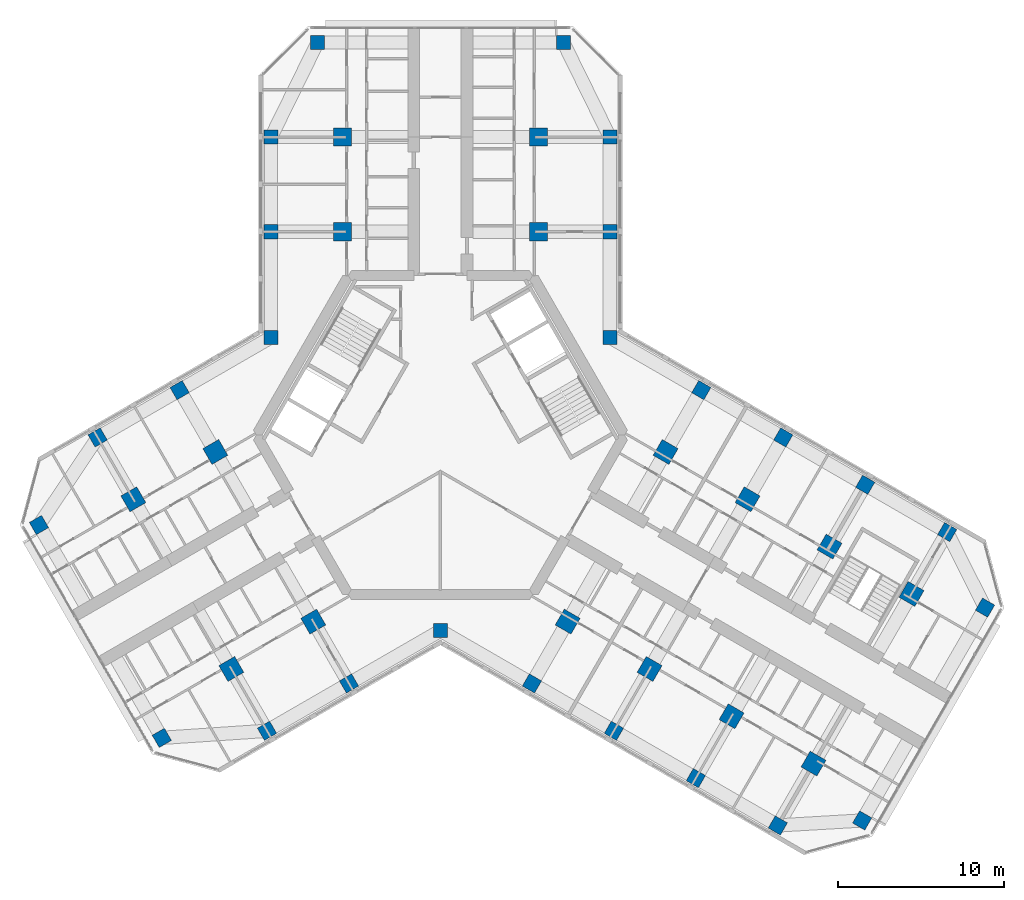
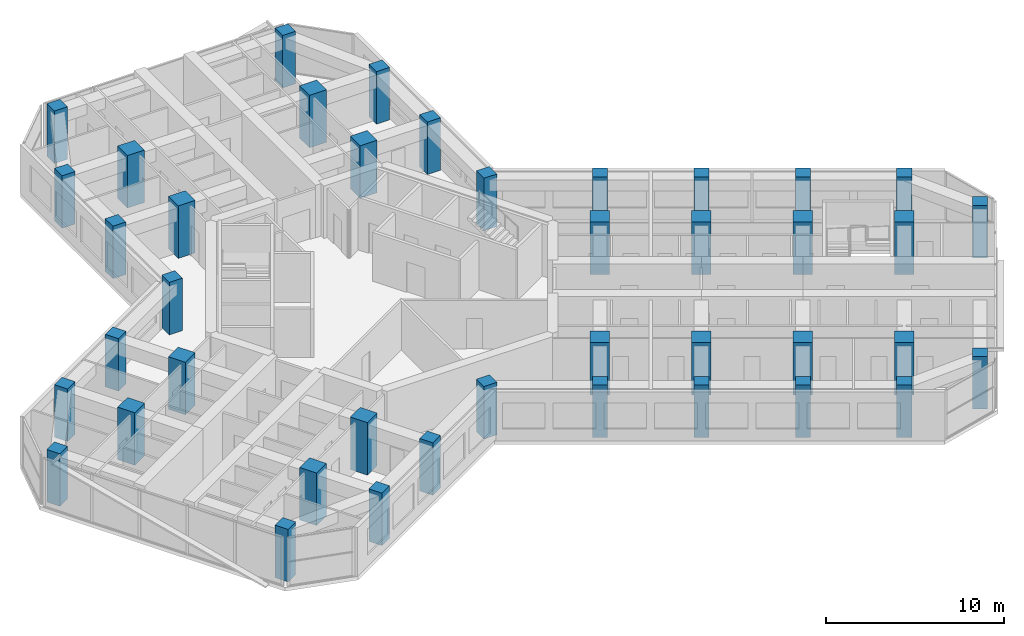
# One storey, part 1 of 16: 41 columns.
"""IFC4 building model written with IfcOpenShell, lengths in metres."""

from ifc_helpers import new_model, si_unit, direction, frame, origin, origin_2d, place, context, subcontext, project, spatial, rectangle, extrude, material, material_profile, profile_set, type_object, element, save


model = new_model("IFC4")

# Units and contexts
model_context = context("Model", 3, precision=1e-05, world=origin(), true_north=direction((0.0, 1.0)))
body_context = subcontext(model_context, "Body", "Model", "MODEL_VIEW")
ifc_project = project(units=[si_unit("LENGTHUNIT", "METRE"), si_unit("AREAUNIT", "SQUARE_METRE"), si_unit("VOLUMEUNIT", "CUBIC_METRE"), si_unit("PLANEANGLEUNIT", "RADIAN"), si_unit("MASSUNIT", "GRAM", prefix="KILO")], contexts=[model_context])

# Site, building, storey
site_placement = place(None, origin())
site = spatial("IfcSite", under=ifc_project, at=site_placement, CompositionType="ELEMENT")
building_placement = place(site_placement, origin())
building = spatial("IfcBuilding", under=site, at=building_placement, Name="Kosmar Iwan School Tower", CompositionType="ELEMENT")
storey_placement = place(building_placement, frame((0.0, 0.0, 242.39990234375)))
storey = spatial("IfcBuildingStorey", under=building, at=storey_placement, Name="L61", CompositionType="ELEMENT", Elevation=242.39990234375)

# Columns
ifc_material_1 = material(Name="Concrete C50/60", Category="concrete")
ifc_material_profile_1 = material_profile(ifc_material_1, rectangle(XDim=0.85009765625, YDim=0.85009765625, at=origin_2d()), Name="RC 850x850 + HD 400x347")
ifc_profile_set_1 = profile_set([ifc_material_profile_1], Name="Concrete C50/60")
column_type_1 = type_object("IfcColumnType", Name="Composite column 850x850 HD 400x347", PredefinedType="COLUMN", material=ifc_profile_set_1)
for number, where, z_axis, x_axis, name in (
    (1, (-10.199951171875, 12.25, 0.0), (0.0, 0.0, 1.0), (0.0, 1.0, 0.0), "Column AL1 L61"),
    (2, (-10.199951171875, 17.949951171875, 0.0), (0.0, 0.0, 1.0), (0.0, 1.0, 0.0), "Column AL2 L61"),
    (3, (-7.39990234375, 23.64990234375, 0.0), (0.0, 0.0, 1.0), (0.0, 1.0, 0.0), "Column ALTIP L61"),
    (4, (10.199951171875, 12.25, 0.0), (0.0, 0.0, 1.0), (0.0, 1.0, 0.0), "Column AR1 L61"),
    (5, (10.199951171875, 17.949951171875, 0.0), (0.0, 0.0, 1.0), (0.0, 1.0, 0.0), "Column AR2 L61"),
    (6, (7.39990234375, 23.64990234375, 0.0), (0.0, 0.0, 1.0), (0.0, 1.0, 0.0), "Column ARTIP L61"),
    (7, (-5.5087890625, -14.95849609375, 0.0), (0.0, 0.0, 1.0), (-0.866025403784, -0.5, 0.0), "Column BL1 L61"),
    (8, (-10.445068359375, -17.808349609375, 0.0), (0.0, 0.0, 1.0), (-0.866025403784, -0.5, 0.0), "Column BL2 L61"),
    (9, (-16.781494140625, -18.233642578125, 0.0), (0.0, 0.0, 1.0), (-0.866025403784, -0.5, 0.0), "Column BLTIP L61"),
    (10, (-15.708740234375, 2.70849609375, 0.0), (0.0, 0.0, 1.0), (-0.866025403784, -0.5, 0.0), "Column BR1 L61"),
    (11, (-20.645263671875, -0.1416015625, 0.0), (0.0, 0.0, 1.0), (-0.866025403784, -0.5, 0.0), "Column BR2 L61"),
    (12, (-24.181396484375, -5.41650390625, 0.0), (0.0, 0.0, 1.0), (-0.866025403784, -0.5, 0.0), "Column BRTIP L61"),
    (13, (15.708740234375, 2.70849609375, 0.0), (0.0, 0.0, 1.0), (0.866025403784, -0.5, 0.0), "Column CL1 L61"),
    (14, (20.645263671875, -0.1416015625, 0.0), (0.0, 0.0, 1.0), (0.866025403784, -0.5, 0.0), "Column CL2 L61"),
    (15, (25.58154296875, -2.991455078125, 0.0), (0.0, 0.0, 1.0), (0.866025403784, -0.5, 0.0), "Column CL3 L61"),
    (16, (30.517822265625, -5.841552734375, 0.0), (0.0, 0.0, 1.0), (0.866025403784, -0.5, 0.0), "Column CL4 L61"),
    (17, (32.79833984375, -10.391357421875, 0.0), (0.0, 0.0, 1.0), (0.866025403784, -0.5, 0.0), "Column CLTIP L61"),
    (18, (5.5087890625, -14.95849609375, 0.0), (0.0, 0.0, 1.0), (0.866025403784, -0.5, 0.0), "Column CR1 L61"),
    (19, (10.445068359375, -17.808349609375, 0.0), (0.0, 0.0, 1.0), (0.866025403784, -0.5, 0.0), "Column CR2 L61"),
    (20, (15.381591796875, -20.658447265625, 0.0), (0.0, 0.0, 1.0), (0.866025403784, -0.5, 0.0), "Column CR3 L61"),
    (21, (20.31787109375, -23.508544921875, 0.0), (0.0, 0.0, 1.0), (0.866025403784, -0.5, 0.0), "Column CR4 L61"),
    (22, (25.3984375, -23.20849609375, 0.0), (0.0, 0.0, 1.0), (0.866025403784, -0.5, 0.0), "Column CRTIP L61"),
    (23, (-10.199951171875, 5.888916015625, 0.0), (0.0, 0.0, 1.0), (1.0, 0.0, 0.0), "Column RAB L61"),
    (24, (10.199951171875, 5.888916015625, 0.0), (0.0, 0.0, 1.0), (1.0, 0.0, 0.0), "Column RAC L61"),
    (25, (0.0, -11.77783203125, 0.0), (0.0, 0.0, 1.0), (1.0, 0.0, 0.0), "Column RBC L61"),
):
    element("IfcColumn", number, at=place(storey_placement, frame(where, z_axis=z_axis, x_axis=x_axis)), inside=storey, type_object=column_type_1, Name=name, PredefinedType="COLUMN", context=body_context, shape_type="SweptSolid", body=[
        extrude(rectangle(XDim=0.85009765625, YDim=0.85009765625, at=origin_2d()), origin(), (0.0, 0.0, 1.0), 3.60009765625),
    ])
ifc_material_2 = material(Name="Concrete C50/60", Category="concrete")
ifc_material_profile_2 = material_profile(ifc_material_2, rectangle(XDim=1.10009765625, YDim=1.10009765625, at=origin_2d()), Name="RC 1100x1100")
ifc_profile_set_2 = profile_set([ifc_material_profile_2], Name="Concrete C50/60")
column_type_2 = type_object("IfcColumnType", Name="RC interior column 1100x1100", PredefinedType="COLUMN", material=ifc_profile_set_2)
for number, where, z_axis, x_axis, name in (
    (26, (-5.89990234375, 12.25, 0.0), (0.0, 0.0, 1.0), (0.0, 1.0, 0.0), "Interior column ALI1 L61"),
    (27, (-5.89990234375, 17.949951171875, 0.0), (0.0, 0.0, 1.0), (0.0, 1.0, 0.0), "Interior column ALI2 L61"),
    (28, (5.89990234375, 12.25, 0.0), (0.0, 0.0, 1.0), (0.0, 1.0, 0.0), "Interior column ARI1 L61"),
    (29, (5.89990234375, 17.949951171875, 0.0), (0.0, 0.0, 1.0), (0.0, 1.0, 0.0), "Interior column ARI2 L61"),
    (30, (-7.65869140625, -11.234619140625, 0.0), (0.0, 0.0, 1.0), (-0.866025403784, -0.5, 0.0), "Interior column BLI1 L61"),
    (31, (-12.59521484375, -14.08447265625, 0.0), (0.0, 0.0, 1.0), (-0.866025403784, -0.5, 0.0), "Interior column BLI2 L61"),
    (32, (-13.558837890625, -1.015380859375, 0.0), (0.0, 0.0, 1.0), (-0.866025403784, -0.5, 0.0), "Interior column BRI1 L61"),
    (33, (-18.4951171875, -3.865478515625, 0.0), (0.0, 0.0, 1.0), (-0.866025403784, -0.5, 0.0), "Interior column BRI2 L61"),
    (34, (13.558837890625, -1.015380859375, 0.0), (0.0, 0.0, 1.0), (0.866025403784, -0.5, 0.0), "Interior column CLI1 L61"),
    (35, (18.4951171875, -3.865478515625, 0.0), (0.0, 0.0, 1.0), (0.866025403784, -0.5, 0.0), "Interior column CLI2 L61"),
    (36, (23.431396484375, -6.71533203125, 0.0), (0.0, 0.0, 1.0), (0.866025403784, -0.5, 0.0), "Interior column CLI3 L61"),
    (37, (28.367919921875, -9.5654296875, 0.0), (0.0, 0.0, 1.0), (0.866025403784, -0.5, 0.0), "Interior column CLI4 L61"),
    (38, (7.65869140625, -11.234619140625, 0.0), (0.0, 0.0, 1.0), (0.866025403784, -0.5, 0.0), "Interior column CRI1 L61"),
    (39, (12.59521484375, -14.08447265625, 0.0), (0.0, 0.0, 1.0), (0.866025403784, -0.5, 0.0), "Interior column CRI2 L61"),
    (40, (17.531494140625, -16.9345703125, 0.0), (0.0, 0.0, 1.0), (0.866025403784, -0.5, 0.0), "Interior column CRI3 L61"),
    (41, (22.4677734375, -19.78466796875, 0.0), (0.0, 0.0, 1.0), (0.866025403784, -0.5, 0.0), "Interior column CRI4 L61"),
):
    element("IfcColumn", number, at=place(storey_placement, frame(where, z_axis=z_axis, x_axis=x_axis)), inside=storey, type_object=column_type_2, Name=name, PredefinedType="COLUMN", context=body_context, shape_type="SweptSolid", body=[
        extrude(rectangle(XDim=1.10009765625, YDim=1.10009765625, at=origin_2d()), origin(), (0.0, 0.0, 1.0), 3.60009765625),
    ])

save(model, "model.ifc")
